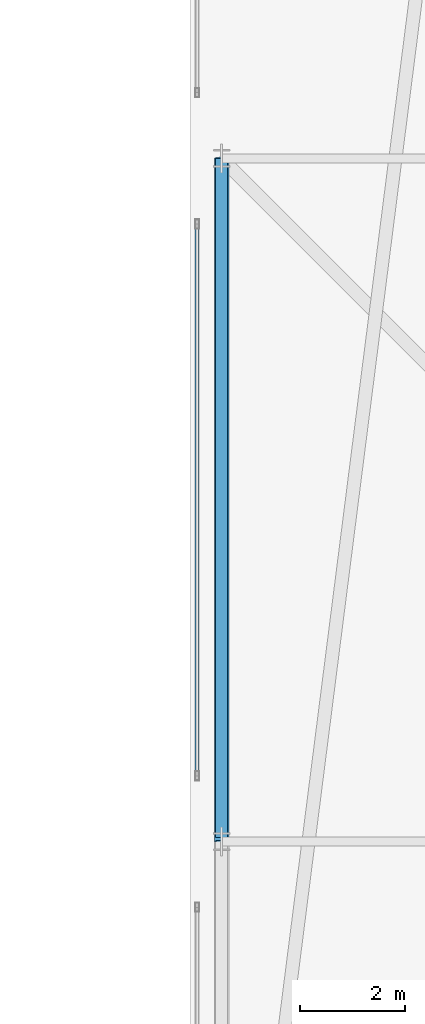
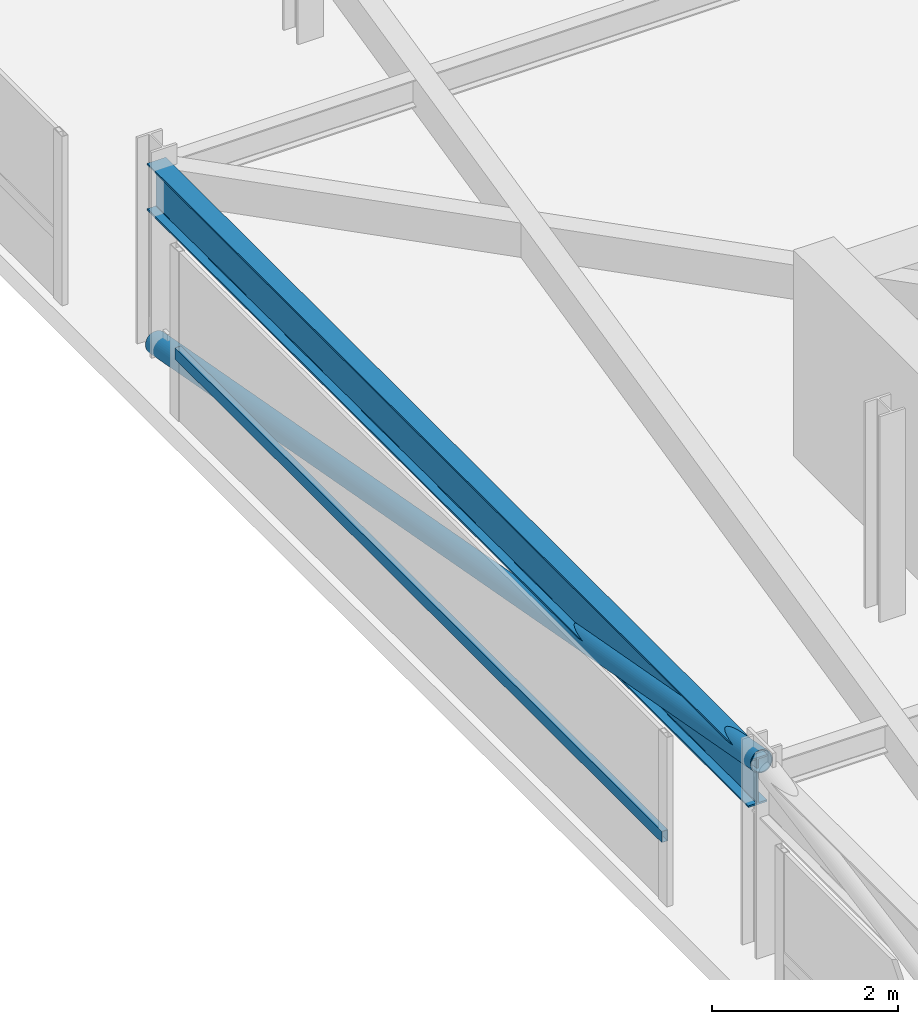
# One storey, part 21 of 42: 2 members, 1 beam, 1 element without a shape of its own.
"""IFC4 building model written with IfcOpenShell, lengths in metres."""

from ifc_helpers import new_model, si_unit, direction, frame, origin, origin_2d, place, context, subcontext, project, spatial, hollow_rectangle, hollow_circle, i_section, extrude, material, material_profile, profile_set, type_object, element, aggregate, save


model = new_model("IFC4")

# Units and contexts
model_context = context("Model", 3, precision=1e-05, world=origin(), true_north=direction((0.0, 1.0)))
body_context = subcontext(model_context, "Body", "Model", "MODEL_VIEW")
ifc_project = project(units=[si_unit("LENGTHUNIT", "METRE"), si_unit("AREAUNIT", "SQUARE_METRE"), si_unit("VOLUMEUNIT", "CUBIC_METRE"), si_unit("PLANEANGLEUNIT", "RADIAN"), si_unit("MASSUNIT", "GRAM", prefix="KILO")], contexts=[model_context])

# Site, building, storey
site_placement = place(None, origin())
site = spatial("IfcSite", under=ifc_project, at=site_placement, CompositionType="ELEMENT")
building_placement = place(site_placement, origin())
building = spatial("IfcBuilding", under=site, at=building_placement, Name="Thornwick Lancets Civic Towers", CompositionType="ELEMENT")
storey_placement = place(building_placement, frame((0.0, 0.0, 289.5)))
storey = spatial("IfcBuildingStorey", under=building, at=storey_placement, Name="C04", CompositionType="ELEMENT", Elevation=289.5)

# Beam
ifc_material_1 = material(Name="Steel S355JR", Category="steel")
ifc_material_profile_1 = material_profile(ifc_material_1, i_section(OverallWidth=0.230224609375, OverallDepth=0.6171875, WebThickness=0.01318359375, FlangeThickness=0.022216796875, FilletRadius=0.0126953125, at=origin_2d()), Name="UKB 610x229x140")
ifc_profile_set_1 = profile_set([ifc_material_profile_1], Name="Steel S355JR")
beam_type = type_object("IfcBeamType", Name="BM_GIRD_610_140", PredefinedType="BEAM", material=ifc_profile_set_1)
beam_placement = place(storey_placement, frame((71.199951171875, 27.080078125, 2.13134765625), z_axis=(0.0, 1.0, 0.0), x_axis=(-1.0, 0.0, 0.0)))
element("IfcBeam", 1, at=beam_placement, inside=storey, type_object=beam_type, Name="BM-SPINE-C04-B-7-8", PredefinedType="BEAM", context=body_context, shape_type="SweptSolid", body=[
    extrude(i_section(OverallWidth=0.230224609375, OverallDepth=0.6171875, WebThickness=0.01318359375, FlangeThickness=0.022216796875, FilletRadius=0.0126953125, at=origin_2d()), origin(), (0.0, 0.0, 1.0), 12.919921875),
])

# Curtain wall, member
ifc_material_2 = material(Name="Crown ring acoustic-louvre and glazing screen wall", Category="glass")
curtain_wall_type = type_object("IfcCurtainWallType", Name="CW_SYS_07", PredefinedType="NOTDEFINED", material=ifc_material_2)
curtain_wall_placement = place(storey_placement, origin())
curtain_wall = element("IfcCurtainWall", 2, at=curtain_wall_placement, inside=storey, type_object=curtain_wall_type, Name="C04 Curtain Wall CW-C04-B-E6-S2", PredefinedType="NOTDEFINED")
ifc_material_3 = material(Name="Thermally broken bronze aluminium S355", Category="steel")
ifc_material_profile_2 = material_profile(ifc_material_3, hollow_rectangle(XDim=0.074951171875, YDim=0.14990234375, WallThickness=0.0048828125, at=origin_2d()), Name="RHS 150x75x5")
ifc_profile_set_2 = profile_set([ifc_material_profile_2], Name="Thermally broken bronze aluminium S355")
member_type_1 = type_object("IfcMemberType", Name="CW_TRN_150", PredefinedType="USERDEFINED", material=ifc_profile_set_2)
member_1_placement = place(storey_placement, frame((70.7353515625, 38.72998046875, 0.85009765625), z_axis=(0.0, -1.0, 0.0), x_axis=(1.0, 0.0, 0.0)))
member_1 = element("IfcMember", 3, at=member_1_placement, type_object=member_type_1, Name="CW-C04-B-E6-S2 Transom 0", ObjectType="TRANSOM", PredefinedType="USERDEFINED", context=body_context, shape_type="SweptSolid", body=[
    extrude(hollow_rectangle(XDim=0.074951171875, YDim=0.14990234375, WallThickness=0.0048828125, at=origin_2d()), origin(), (0.0, 0.0, 1.0), 10.4599609375),
])
aggregate(curtain_wall, [member_1])

# Member
ifc_material_profile_3 = material_profile(ifc_material_1, hollow_circle(Radius=0.136474609375, WallThickness=0.012451171875, at=origin_2d()), Name="CHS 273x12.5")
ifc_profile_set_3 = profile_set([ifc_material_profile_3], Name="Steel S355JR")
member_type_2 = type_object("IfcMemberType", Name="MEM_CROWN_CHS273", PredefinedType="BRACE", material=ifc_profile_set_3)
member_2_placement = place(storey_placement, frame((71.199951171875, 40.0, 0.050048828125), z_axis=(0.0, -0.98351842104, 0.180807951915), x_axis=(1.0, 0.0, 0.0)))
element("IfcMember", 4, at=member_2_placement, inside=storey, type_object=member_type_2, Name="C04 Crown Ring Lancet Rib B-S2-R", PredefinedType="BRACE", context=body_context, shape_type="SweptSolid", body=[
    extrude(hollow_circle(Radius=0.136474609375, WallThickness=0.012451171875, at=origin_2d()), origin(), (0.0, 0.0, 1.0), 13.2177734375),
])

save(model, "model.ifc")
